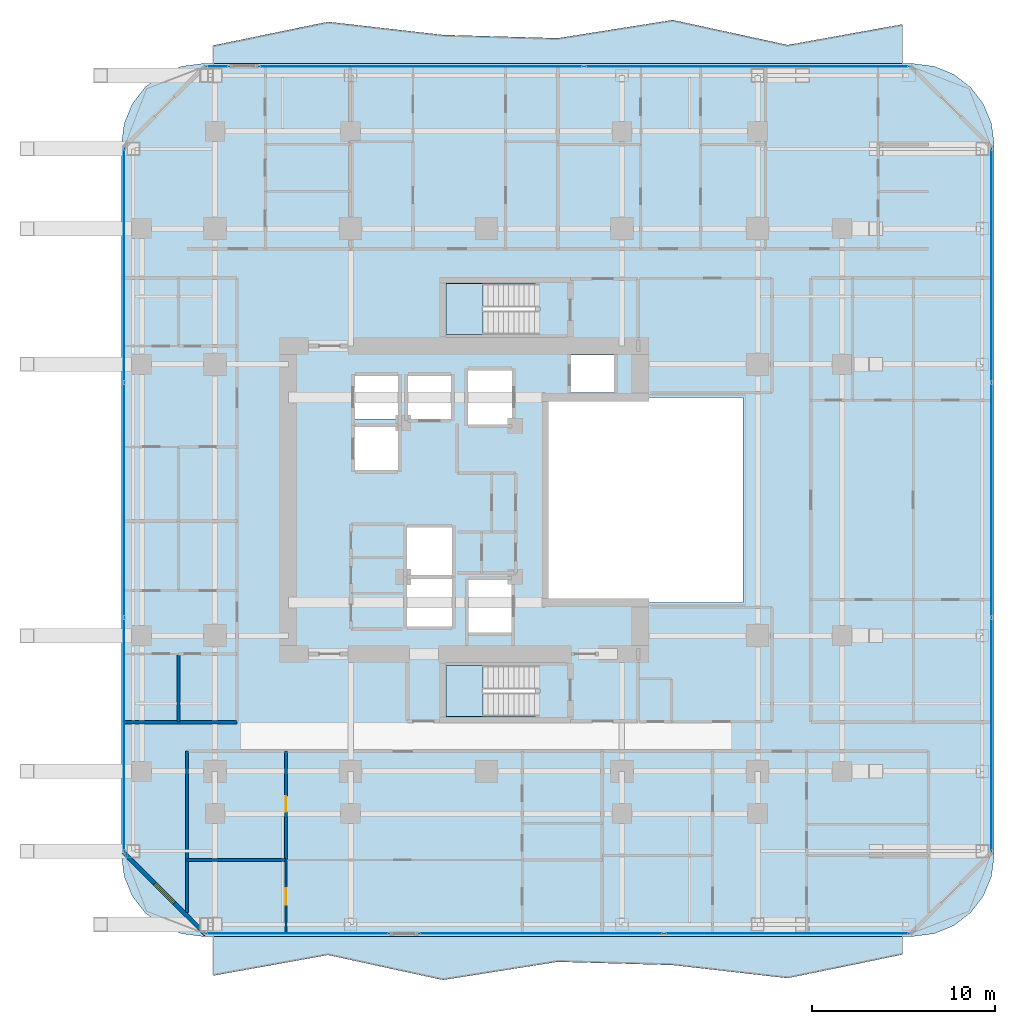
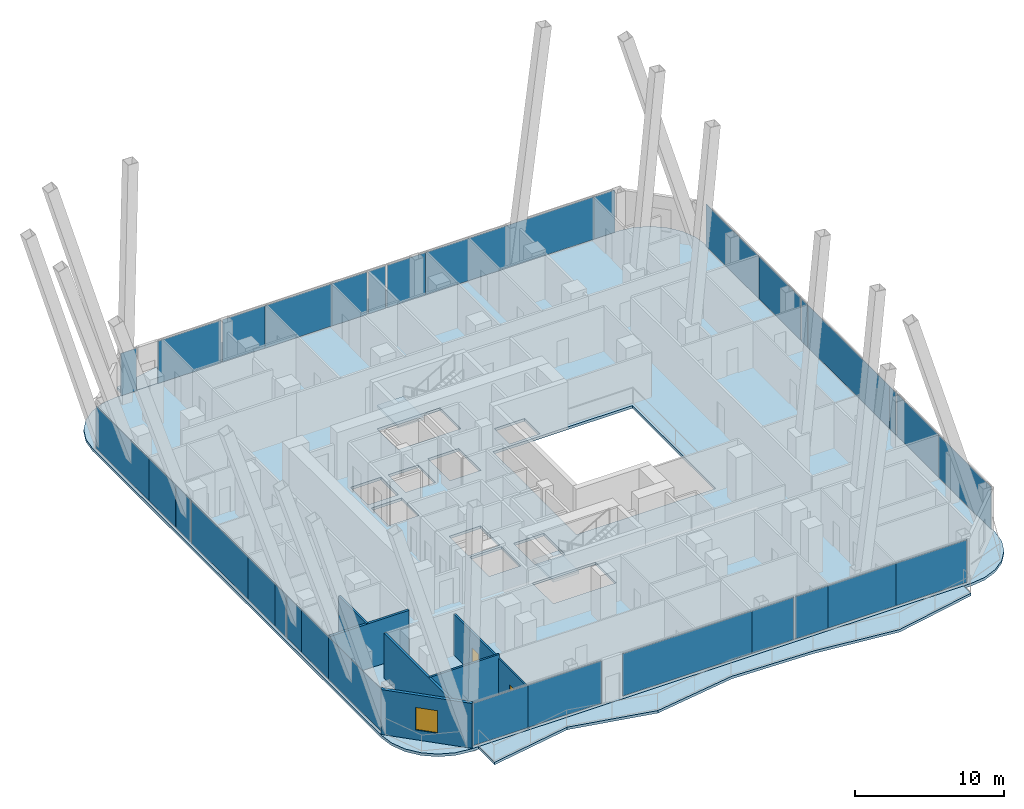
# One storey, part 23 of 32: 32 plates, 7 walls, 5 slabs, 2 doors, 1 window, 3 openings, 8 elements without a shape of their own.
"""IFC4 building model written with IfcOpenShell, lengths in metres."""

import ifcopenshell
import ifcopenshell.guid

model = None  # the IFC model being written
_history = None  # IfcOwnerHistory: only IFC2X3 demands one
_inside = {}  # id of a spatial element -> (the spatial element, [elements in it])
_under = {}  # id of a project, library or spatial element -> (it, [spatial elements below it])
_declared = {}  # id of a project -> (the project, [libraries it declares])
_typed = {}  # id of a type object -> (the type object, [elements of that type])
_made_of = {}  # id of a material, layer set ... -> (it, [elements and type objects made of it])


def new_model(schema):
    """Start an empty IFC model of exactly this schema.

    Asked for "IFC4X3", IfcOpenShell would pick the latest addendum, in which some entities
    have other attributes; the version numbers below select the first issue.
    IFC2X3 requires an IfcOwnerHistory on every rooted entity: one is made here for all.
    """
    global model, _history
    if schema == "IFC4X3":
        model = ifcopenshell.file(schema_version=(4, 3, 0, 0))
    else:
        model = ifcopenshell.file(schema=schema)
    _inside.clear()
    _under.clear()
    _declared.clear()
    _typed.clear()
    _made_of.clear()
    _history = None
    if model.schema == "IFC2X3":
        org = make("IfcOrganization", Name="unknown")
        user = make(
            "IfcPersonAndOrganization",
            ThePerson=make("IfcPerson", FamilyName="unknown"),
            TheOrganization=org,
        )
        app = make(
            "IfcApplication",
            ApplicationDeveloper=org,
            Version="unknown",
            ApplicationFullName="unknown",
            ApplicationIdentifier="unknown",
        )
        _history = make(
            "IfcOwnerHistory",
            OwningUser=user,
            OwningApplication=app,
            ChangeAction="ADDED",
            CreationDate=0,
        )
    return model


def make(cls, **values):
    """One entity of the class cls with the attributes given. An attribute that is None is left unset."""
    return model.create_entity(
        cls, **{name: value for name, value in values.items() if value is not None}
    )


def rooted(cls, **values):
    """An entity with a GlobalId (a new one), such as an element, a storey or a relation."""
    return make(cls, GlobalId=ifcopenshell.guid.new(), OwnerHistory=_history, **values)


def si_unit(unit_type, name, prefix=None):
    """IfcSIUnit, for example si_unit("LENGTHUNIT", "METRE", prefix="MILLI")."""
    return make("IfcSIUnit", UnitType=unit_type, Prefix=prefix, Name=name)


def assignment(units):
    """IfcUnitAssignment: the units of a project."""
    return None if units is None else make("IfcUnitAssignment", Units=units)


def point(xyz):
    """IfcCartesianPoint."""
    return None if xyz is None else make("IfcCartesianPoint", Coordinates=xyz)


def direction(xyz):
    """IfcDirection."""
    return None if xyz is None else make("IfcDirection", DirectionRatios=xyz)


def frame(location, z_axis=None, x_axis=None):
    """IfcAxis2Placement3D, a coordinate frame: its origin and axes. An axis left out is left unset."""
    return make(
        "IfcAxis2Placement3D",
        Location=point(location),
        Axis=direction(z_axis),
        RefDirection=direction(x_axis),
    )


def frame_2d(location, x_axis=None):
    """IfcAxis2Placement2D, a coordinate frame in the plane: its origin and x axis."""
    return make(
        "IfcAxis2Placement2D", Location=point(location), RefDirection=direction(x_axis)
    )


def origin():
    """The frame at (0, 0, 0) with its axes left unset."""
    return frame((0.0, 0.0, 0.0))


def origin_2d():
    """The frame at (0, 0) in the plane with its x axis left unset."""
    return frame_2d((0.0, 0.0))


def place(relative_to, where):
    """IfcLocalPlacement: puts the frame where relative to a parent placement (None: the world)."""
    return make(
        "IfcLocalPlacement", PlacementRelTo=relative_to, RelativePlacement=where
    )


def context(
    kind, dimensions, precision=None, world=None, true_north=None, identifier=None
):
    """IfcGeometricRepresentationContext, for example the 3D "Model" context."""
    return make(
        "IfcGeometricRepresentationContext",
        ContextIdentifier=identifier,
        ContextType=kind,
        CoordinateSpaceDimension=dimensions,
        Precision=precision,
        WorldCoordinateSystem=world,
        TrueNorth=true_north,
    )


def subcontext(parent, identifier, kind, view, scale=None):
    """IfcGeometricRepresentationSubContext, for example "Body" below "Model"."""
    return make(
        "IfcGeometricRepresentationSubContext",
        ContextIdentifier=identifier,
        ContextType=kind,
        ParentContext=parent,
        TargetScale=scale,
        TargetView=view,
    )


def project(units=None, contexts=None):
    """IfcProject with its units and contexts."""
    return rooted(
        "IfcProject",
        Name="project",
        RepresentationContexts=contexts,
        UnitsInContext=assignment(units),
    )


def spatial(cls, under=None, at=None, **own):
    """A site, building, storey or space (cls), placed at a placement, below another one or the project."""
    s = rooted(cls, ObjectPlacement=at, **own)
    if under is not None:
        _under.setdefault(under.id(), (under, []))[1].append(s)
    return s


def polyline(points):
    """IfcPolyline through the points."""
    return make("IfcPolyline", Points=[point(p) for p in points])


def profile(cls, at=None, kind="AREA", **sizes):
    """A parametric profile (cls). Its sizes go by their IFC names, for example OverallWidth=200.0."""
    return make(cls, ProfileType=kind, Position=at, **sizes)


def rectangle(**sizes):
    """IfcRectangleProfileDef."""
    return profile("IfcRectangleProfileDef", **sizes)


def outline(outer, holes=None, kind="AREA"):
    """IfcArbitraryClosedProfileDef: a profile drawn as a closed curve; with holes, ...WithVoids."""
    if holes is None:
        return make("IfcArbitraryClosedProfileDef", ProfileType=kind, OuterCurve=outer)
    return make(
        "IfcArbitraryProfileDefWithVoids",
        ProfileType=kind,
        OuterCurve=outer,
        InnerCurves=holes,
    )


def extrude(swept, where, along, depth):
    """IfcExtrudedAreaSolid: the profile swept, set in the frame where, extruded along a direction by depth."""
    return make(
        "IfcExtrudedAreaSolid",
        SweptArea=swept,
        Position=where,
        ExtrudedDirection=direction(along),
        Depth=depth,
    )


def shape(context_of_items, identifier, shape_type, items):
    """IfcShapeRepresentation: the items that make up one representation, for example the "Body"."""
    return make(
        "IfcShapeRepresentation",
        ContextOfItems=context_of_items,
        RepresentationIdentifier=identifier,
        RepresentationType=shape_type,
        Items=items,
    )


def material(Name=None, Category=None):
    """IfcMaterial."""
    return make("IfcMaterial", Name=Name, Category=Category)


def layer(
    of_material, thickness, ventilated=None, Name=None, Category=None, Priority=None
):
    """IfcMaterialLayer: one layer of a wall or slab, of a material (None: an air gap)."""
    return make(
        "IfcMaterialLayer",
        Material=of_material,
        LayerThickness=thickness,
        IsVentilated=ventilated,
        Name=Name,
        Category=Category,
        Priority=Priority,
    )


def layer_set(layers, Name=None):
    """IfcMaterialLayerSet."""
    return make("IfcMaterialLayerSet", MaterialLayers=layers, LayerSetName=Name)


def made_of(thing, what):
    """Note that an element or type object is made of a material, layer set ...; save() writes the relation."""
    if what is not None:
        _made_of.setdefault(what.id(), (what, []))[1].append(thing)
    return thing


def type_object(cls, material=None, **own):
    """A type object (cls), such as IfcWallType, which elements share."""
    return made_of(rooted(cls, **own), material)


def element(
    cls,
    number,
    at=None,
    inside=None,
    cuts=None,
    type_object=None,
    material=None,
    context=None,
    identifier="Body",
    shape_type=None,
    held_by="IfcProductDefinitionShape",
    body=None,
    shapes=None,
    **own,
):
    """One element of the class cls, such as IfcWall. Its Tag is "e" and its number.

    at: its placement. inside: the storey or other place that contains it. cuts: it is an
    opening in that element (IfcRelVoidsElement). A single representation is given by context,
    identifier, shape_type and body (its items); several are given by shapes. held_by: the class
    of the entity that holds the representations. save() writes the other relations.
    """
    e = rooted(cls, Tag="e%d" % number, ObjectPlacement=at, **own)
    if body is not None:
        shapes = [shape(context, identifier, shape_type, body)]
    if shapes is not None:
        e.Representation = make(held_by, Representations=shapes)
    if inside is not None:
        _inside.setdefault(inside.id(), (inside, []))[1].append(e)
    if cuts is not None:
        rooted(
            "IfcRelVoidsElement", RelatingBuildingElement=cuts, RelatedOpeningElement=e
        )
    if type_object is not None:
        _typed.setdefault(type_object.id(), (type_object, []))[1].append(e)
    return made_of(e, material)


def fill(opening, filler):
    """IfcRelFillsElement: the door or window that sits in an opening."""
    return rooted(
        "IfcRelFillsElement",
        RelatingOpeningElement=opening,
        RelatedBuildingElement=filler,
    )


def aggregate(whole, parts):
    """IfcRelAggregates: a whole, such as a stair, and the parts it consists of."""
    return rooted("IfcRelAggregates", RelatingObject=whole, RelatedObjects=parts)


def save(model, path):
    """Write the relations noted so far, then the file.

    IfcRelAggregates (storeys below a building ...), IfcRelContainedInSpatialStructure (elements
    in a storey), IfcRelDefinesByType, IfcRelAssociatesMaterial and IfcRelDeclares: one each for
    every whole, place, type object, material and project.
    """
    for whole, parts in _under.values():
        aggregate(whole, parts)
    for where, things in _inside.values():
        rooted(
            "IfcRelContainedInSpatialStructure",
            RelatedElements=things,
            RelatingStructure=where,
        )
    for kind, things in _typed.values():
        rooted("IfcRelDefinesByType", RelatedObjects=things, RelatingType=kind)
    for what, things in _made_of.values():
        rooted("IfcRelAssociatesMaterial", RelatedObjects=things, RelatingMaterial=what)
    for by, libraries in _declared.values():
        rooted("IfcRelDeclares", RelatingContext=by, RelatedDefinitions=libraries)
    model.write(path)


model = new_model("IFC4")

# Units and contexts
model_context = context("Model", 3, precision=1e-05, world=origin(), true_north=direction((0.0, 1.0)))
body_context = subcontext(model_context, "Body", "Model", "MODEL_VIEW")
ifc_project = project(units=[si_unit("LENGTHUNIT", "METRE"), si_unit("AREAUNIT", "SQUARE_METRE"), si_unit("VOLUMEUNIT", "CUBIC_METRE"), si_unit("PLANEANGLEUNIT", "RADIAN"), si_unit("MASSUNIT", "GRAM", prefix="KILO")], contexts=[model_context])

# Site, building, storey
site_placement = place(None, origin())
site = spatial("IfcSite", under=ifc_project, at=site_placement, CompositionType="ELEMENT")
building_placement = place(site_placement, origin())
building = spatial("IfcBuilding", under=site, at=building_placement, Name="Khorvyn Point Tower", CompositionType="ELEMENT")
storey_placement = place(building_placement, frame((0.0, 0.0, 148.5)))
storey = spatial("IfcBuildingStorey", under=building, at=storey_placement, Name="L37", CompositionType="ELEMENT", Elevation=148.5)

# Slabs
ifc_material_1 = material(Name="Concrete C35/45", Category="concrete")
ifc_layer_1 = layer(ifc_material_1, 0.219970703125)
ifc_layer_set_1 = layer_set([ifc_layer_1], Name="Concrete C35/45 Structural Floor Slab 220")
slab_type_1 = type_object("IfcSlabType", Name="Concrete C35/45 Structural Floor Slab 220", PredefinedType="FLOOR", material=ifc_layer_set_1)
slab_1_placement = place(storey_placement, frame((0.0, 0.0, -0.219970703125)))
element("IfcSlab", 1, at=slab_1_placement, inside=storey, type_object=slab_type_1, Name="L37 Main Structural Floor Slab", PredefinedType="FLOOR", context=body_context, shape_type="SweptSolid", body=[
    extrude(outline(polyline([(-15.5, -23.800048828125), (-16.638916015625, -23.650146484375), (-17.699951171875, -23.21044921875), (-18.611328125, -22.51123046875), (-19.310546875, -21.60009765625), (-19.75, -20.538818359375), (-19.89990234375, -19.39990234375), (-19.89990234375, 19.39990234375), (-19.75, 20.538818359375), (-19.310546875, 21.60009765625), (-18.611328125, 22.51123046875), (-17.699951171875, 23.21044921875), (-16.638916015625, 23.650146484375), (-15.5, 23.800048828125), (23.300048828125, 23.800048828125), (24.438720703125, 23.650146484375), (25.5, 23.21044921875), (26.411376953125, 22.51123046875), (27.110595703125, 21.60009765625), (27.550048828125, 20.538818359375), (27.699951171875, 19.39990234375), (27.699951171875, -19.39990234375), (27.550048828125, -20.538818359375), (27.110595703125, -21.60009765625), (26.411376953125, -22.51123046875), (25.5, -23.21044921875), (24.438720703125, -23.650146484375), (23.300048828125, -23.800048828125), (-15.5, -23.800048828125)]), holes=[polyline([(-1.875, -6.89990234375), (-1.875, -4.300048828125), (-4.324951171875, -4.300048828125), (-4.324951171875, -6.89990234375), (-1.875, -6.89990234375)]), polyline([(-1.875, -4.10009765625), (-1.875, -1.5), (-4.324951171875, -1.5), (-4.324951171875, -4.10009765625), (-1.875, -4.10009765625)]), polyline([(-4.824951171875, 1.625), (-4.824951171875, 3.97509765625), (-7.175048828125, 3.97509765625), (-7.175048828125, 1.625), (-4.824951171875, 1.625)]), polyline([(-7.175048828125, 4.425048828125), (-4.824951171875, 4.425048828125), (-4.824951171875, 6.77490234375), (-7.175048828125, 6.77490234375), (-7.175048828125, 4.425048828125)]), polyline([(-4.27490234375, 4.425048828125), (-1.925048828125, 4.425048828125), (-1.925048828125, 6.77490234375), (-4.27490234375, 6.77490234375), (-4.27490234375, 4.425048828125)]), polyline([(1.39990234375, 4.125), (1.39990234375, 7.074951171875), (-1.0, 7.074951171875), (-1.0, 4.125), (1.39990234375, 4.125)]), polyline([(-2.199951171875, -11.820068359375), (2.679931640625, -11.820068359375), (2.679931640625, -9.02001953125), (-2.199951171875, -9.02001953125), (-2.199951171875, -11.820068359375)]), polyline([(-0.97509765625, -7.22509765625), (1.375, -7.22509765625), (1.375, -4.375), (-0.97509765625, -4.375), (-0.97509765625, -7.22509765625)]), polyline([(14.0, -5.60009765625), (14.0, 5.60009765625), (3.199951171875, 5.60009765625), (3.199951171875, -5.60009765625), (14.0, -5.60009765625)]), polyline([(4.625, 5.85009765625), (6.97509765625, 5.85009765625), (6.97509765625, 7.905029296875), (4.625, 7.905029296875), (4.625, 5.85009765625)]), polyline([(-2.199951171875, 9.02001953125), (2.679931640625, 9.02001953125), (2.679931640625, 11.820068359375), (-2.199951171875, 11.820068359375), (-2.199951171875, 9.02001953125)])]), origin(), (0.0, 0.0, 1.0), 0.219970703125),
])
ifc_material_2 = material(Name="Concrete C40/50", Category="concrete")
ifc_layer_2 = layer(ifc_material_2, 0.2099609375)
ifc_layer_set_2 = layer_set([ifc_layer_2], Name="Concrete C40/50 Rippling Balcony Slab 210")
slab_type_2 = type_object("IfcSlabType", Name="Concrete C40/50 Rippling Balcony Slab 210", PredefinedType="USERDEFINED", material=ifc_layer_set_2)
slab_2_placement = place(storey_placement, frame((0.0, 0.0, -0.2099609375)))
element("IfcSlab", 2, at=slab_2_placement, inside=storey, type_object=slab_type_2, Name="L37 North Sinusoidal Rippling Balcony", ObjectType="BALCONY", PredefinedType="USERDEFINED", context=body_context, shape_type="SweptSolid", body=[
    extrude(outline(polyline([(22.699951171875, 23.800048828125), (22.699951171875, 25.943603515625), (16.433349609375, 24.817138671875), (10.166748046875, 26.1796875), (3.89990234375, 25.1884765625), (-2.36669921875, 25.36669921875), (-8.63330078125, 26.080810546875), (-14.89990234375, 24.79248046875), (-14.89990234375, 23.800048828125), (22.699951171875, 23.800048828125)])), origin(), (0.0, 0.0, 1.0), 0.2099609375),
])
slab_3_placement = place(storey_placement, frame((0.0, 0.0, -0.2099609375)))
element("IfcSlab", 3, at=slab_3_placement, inside=storey, type_object=slab_type_2, Name="L37 South Sinusoidal Rippling Balcony", ObjectType="BALCONY", PredefinedType="USERDEFINED", context=body_context, shape_type="SweptSolid", body=[
    extrude(outline(polyline([(-14.89990234375, -23.800048828125), (-14.89990234375, -25.943603515625), (-8.63330078125, -24.817138671875), (-2.36669921875, -26.1796875), (3.89990234375, -25.1884765625), (10.166748046875, -25.36669921875), (16.433349609375, -26.080810546875), (22.699951171875, -24.79248046875), (22.699951171875, -23.800048828125), (-14.89990234375, -23.800048828125)])), origin(), (0.0, 0.0, 1.0), 0.2099609375),
])

# Stair, slab
stair_type = type_object("IfcStairType", Name="Tower Concrete C40/50 Dogleg Exit Stair", PredefinedType="HALF_TURN_STAIR", material=ifc_material_2)
stair_1_placement = place(storey_placement, origin())
stair_1 = element("IfcStair", 4, at=stair_1_placement, inside=storey, type_object=stair_type, Name="L37 Tower Smokeproof Exit Stair South", PredefinedType="HALF_TURN_STAIR")
ifc_layer_3 = layer(ifc_material_2, 0.199951171875)
ifc_layer_set_3 = layer_set([ifc_layer_3], Name="Concrete C40/50 Stair Landing Slab 200")
slab_type_3 = type_object("IfcSlabType", Name="Concrete C40/50 Stair Landing Slab 200", PredefinedType="LANDING", material=ifc_layer_set_3)
slab_4_placement = place(storey_placement, frame((0.0, 0.0, 1.75)))
slab_4 = element("IfcSlab", 5, at=slab_4_placement, type_object=slab_type_3, Name="ST-01 landing 1", PredefinedType="LANDING", context=body_context, shape_type="SweptSolid", body=[
    extrude(outline(polyline([(-0.179931640625, -9.02001953125), (-2.199951171875, -9.02001953125), (-2.199951171875, -11.820068359375), (-0.179931640625, -11.820068359375), (-0.179931640625, -9.02001953125)])), origin(), (0.0, 0.0, 1.0), 0.199951171875),
])
aggregate(stair_1, [slab_4])

stair_2_placement = place(storey_placement, origin())
stair_2 = element("IfcStair", 6, at=stair_2_placement, inside=storey, type_object=stair_type, Name="L37 Tower Smokeproof Exit Stair North", PredefinedType="HALF_TURN_STAIR")
slab_5_placement = place(storey_placement, frame((0.0, 0.0, 1.75)))
slab_5 = element("IfcSlab", 7, at=slab_5_placement, type_object=slab_type_3, Name="ST-02 landing 1", PredefinedType="LANDING", context=body_context, shape_type="SweptSolid", body=[
    extrude(outline(polyline([(-0.179931640625, 11.820068359375), (-2.199951171875, 11.820068359375), (-2.199951171875, 9.02001953125), (-0.179931640625, 9.02001953125), (-0.179931640625, 11.820068359375)])), origin(), (0.0, 0.0, 1.0), 0.199951171875),
])
aggregate(stair_2, [slab_5])

# Curtain wall, plates
ifc_material_3 = material(Name="Anodised aluminium 6063-T6 and laminated Low-E glass", Category="aluminium")
ifc_layer_4 = layer(ifc_material_3, 0.18994140625)
ifc_layer_set_4 = layer_set([ifc_layer_4], Name="Stick-Built Acoustic Curtain Wall CW-SYS-03")
curtain_wall_type = type_object("IfcCurtainWallType", Name="Stick-Built Acoustic Curtain Wall CW-SYS-03", PredefinedType="NOTDEFINED", material=ifc_layer_set_4)
curtain_wall_1_placement = place(storey_placement, origin())
curtain_wall_1 = element("IfcCurtainWall", 8, at=curtain_wall_1_placement, inside=storey, type_object=curtain_wall_type, Name="Curtain Wall", PredefinedType="NOTDEFINED")
ifc_material_4 = material(Name="Laminated Low-E insulated glass", Category="glass")
ifc_layer_5 = layer(ifc_material_4, 0.028076171875)
ifc_layer_set_5 = layer_set([ifc_layer_5], Name="Tempered Low-E Vision Glazing Panel CW-GL28")
plate_type = type_object("IfcPlateType", Name="Tempered Low-E Vision Glazing Panel CW-GL28", PredefinedType="CURTAIN_PANEL", material=ifc_layer_set_5)
plate_1_placement = place(storey_placement, frame((11.01220703125, -23.64990234375, 0.10009765625), z_axis=(0.0, 0.0, 1.0), x_axis=(-1.0, 0.0, 0.0)))
plate_1 = element("IfcPlate", 9, at=plate_1_placement, type_object=plate_type, Name="Panel", PredefinedType="CURTAIN_PANEL", context=body_context, shape_type="SweptSolid", body=[
    extrude(rectangle(XDim=2.527587890625, YDim=0.028076171875, at=origin_2d()), origin(), (0.0, 0.0, 1.0), 3.47998046875),
])
plate_2_placement = place(storey_placement, frame((14.907958984375, -23.64990234375, 0.10009765625), z_axis=(0.0, 0.0, 1.0), x_axis=(-1.0, 0.0, 0.0)))
plate_2 = element("IfcPlate", 10, at=plate_2_placement, type_object=plate_type, Name="Panel", PredefinedType="CURTAIN_PANEL", context=body_context, shape_type="SweptSolid", body=[
    extrude(rectangle(XDim=5.248046875, YDim=0.028076171875, at=origin_2d()), origin(), (0.0, 0.0, 1.0), 3.47998046875),
])
plate_3_placement = place(storey_placement, frame((20.29296875, -23.64990234375, 0.10009765625), z_axis=(0.0, 0.0, 1.0), x_axis=(-1.0, 0.0, 0.0)))
plate_3 = element("IfcPlate", 11, at=plate_3_placement, type_object=plate_type, Name="Panel", PredefinedType="CURTAIN_PANEL", context=body_context, shape_type="SweptSolid", body=[
    extrude(rectangle(XDim=5.506103515625, YDim=0.028076171875, at=origin_2d()), origin(), (0.0, 0.0, 1.0), 3.47998046875),
])
plate_4_placement = place(storey_placement, frame((1.362548828125, -23.64990234375, 0.10009765625), z_axis=(0.0, 0.0, 1.0), x_axis=(-1.0, 0.0, 0.0)))
plate_4 = element("IfcPlate", 12, at=plate_4_placement, type_object=plate_type, Name="Panel", PredefinedType="CURTAIN_PANEL", context=body_context, shape_type="SweptSolid", body=[
    extrude(rectangle(XDim=10.0390625, YDim=0.028076171875, at=origin_2d()), origin(), (0.0, 0.0, 1.0), 3.47998046875),
])
plate_5_placement = place(storey_placement, frame((8.01513671875, -23.64990234375, 0.10009765625), z_axis=(0.0, 0.0, 1.0), x_axis=(-1.0, 0.0, 0.0)))
plate_5 = element("IfcPlate", 13, at=plate_5_placement, type_object=plate_type, Name="Panel", PredefinedType="CURTAIN_PANEL", context=body_context, shape_type="SweptSolid", body=[
    extrude(rectangle(XDim=3.25048828125, YDim=0.028076171875, at=origin_2d()), origin(), (0.0, 0.0, 1.0), 3.47998046875),
])
aggregate(curtain_wall_1, [plate_1, plate_2, plate_3, plate_4, plate_5])

curtain_wall_2_placement = place(storey_placement, origin())
curtain_wall_2 = element("IfcCurtainWall", 14, at=curtain_wall_2_placement, inside=storey, type_object=curtain_wall_type, Name="Curtain Wall", PredefinedType="NOTDEFINED")
plate_6_placement = place(storey_placement, frame((-13.117919921875, -23.64990234375, 0.10009765625), z_axis=(0.0, 0.0, 1.0), x_axis=(-1.0, 0.0, 0.0)))
plate_6 = element("IfcPlate", 15, at=plate_6_placement, type_object=plate_type, Name="Panel", PredefinedType="CURTAIN_PANEL", context=body_context, shape_type="SweptSolid", body=[
    extrude(rectangle(XDim=4.256103515625, YDim=0.028076171875, at=origin_2d()), origin(), (0.0, 0.0, 1.0), 3.47998046875),
])
plate_7_placement = place(storey_placement, frame((-8.1435546875, -23.64990234375, 0.10009765625), z_axis=(0.0, 0.0, 1.0), x_axis=(-1.0, 0.0, 0.0)))
plate_7 = element("IfcPlate", 16, at=plate_7_placement, type_object=plate_type, Name="Panel", PredefinedType="CURTAIN_PANEL", context=body_context, shape_type="SweptSolid", body=[
    extrude(rectangle(XDim=5.677001953125, YDim=0.028076171875, at=origin_2d()), origin(), (0.0, 0.0, 1.0), 3.47998046875),
])
aggregate(curtain_wall_2, [plate_6, plate_7])

# Curtain wall, plate
curtain_wall_3_placement = place(storey_placement, origin())
curtain_wall_3 = element("IfcCurtainWall", 17, at=curtain_wall_3_placement, inside=storey, type_object=curtain_wall_type, Name="Curtain Wall", PredefinedType="NOTDEFINED")
plate_8_placement = place(storey_placement, frame((-14.639404296875, 23.64990234375, 0.10009765625), z_axis=(0.0, 0.0, 1.0), x_axis=(1.0, 0.0, 0.0)))
plate_8 = element("IfcPlate", 18, at=plate_8_placement, type_object=plate_type, Name="Panel", PredefinedType="CURTAIN_PANEL", context=body_context, shape_type="SweptSolid", body=[
    extrude(rectangle(XDim=1.220947265625, YDim=0.028076171875, at=origin_2d()), origin(), (0.0, 0.0, 1.0), 3.47998046875),
])
aggregate(curtain_wall_3, [plate_8])

# Curtain wall, plates
curtain_wall_4_placement = place(storey_placement, origin())
curtain_wall_4 = element("IfcCurtainWall", 19, at=curtain_wall_4_placement, inside=storey, type_object=curtain_wall_type, Name="Curtain Wall", PredefinedType="NOTDEFINED")
plate_9_placement = place(storey_placement, frame((-9.93603515625, 23.64990234375, 0.10009765625), z_axis=(0.0, 0.0, 1.0), x_axis=(1.0, 0.0, 0.0)))
plate_9 = element("IfcPlate", 20, at=plate_9_placement, type_object=plate_type, Name="Panel", PredefinedType="CURTAIN_PANEL", context=body_context, shape_type="SweptSolid", body=[
    extrude(rectangle(XDim=4.89794921875, YDim=0.028076171875, at=origin_2d()), origin(), (0.0, 0.0, 1.0), 3.47998046875),
])
plate_10_placement = place(storey_placement, frame((-5.7119140625, 23.64990234375, 0.10009765625), z_axis=(0.0, 0.0, 1.0), x_axis=(1.0, 0.0, 0.0)))
plate_10 = element("IfcPlate", 21, at=plate_10_placement, type_object=plate_type, Name="Panel", PredefinedType="CURTAIN_PANEL", context=body_context, shape_type="SweptSolid", body=[
    extrude(rectangle(XDim=3.2939453125, YDim=0.028076171875, at=origin_2d()), origin(), (0.0, 0.0, 1.0), 3.47998046875),
])
plate_11_placement = place(storey_placement, frame((-1.4755859375, 23.64990234375, 0.10009765625), z_axis=(0.0, 0.0, 1.0), x_axis=(1.0, 0.0, 0.0)))
plate_11 = element("IfcPlate", 22, at=plate_11_placement, type_object=plate_type, Name="Panel", PredefinedType="CURTAIN_PANEL", context=body_context, shape_type="SweptSolid", body=[
    extrude(rectangle(XDim=5.1630859375, YDim=0.028076171875, at=origin_2d()), origin(), (0.0, 0.0, 1.0), 3.47998046875),
])
plate_12_placement = place(storey_placement, frame((2.47509765625, 23.64990234375, 0.10009765625), z_axis=(0.0, 0.0, 1.0), x_axis=(1.0, 0.0, 0.0)))
plate_12 = element("IfcPlate", 23, at=plate_12_placement, type_object=plate_type, Name="Panel", PredefinedType="CURTAIN_PANEL", context=body_context, shape_type="SweptSolid", body=[
    extrude(rectangle(XDim=2.721923828125, YDim=0.028076171875, at=origin_2d()), origin(), (0.0, 0.0, 1.0), 3.47998046875),
])
plate_13_placement = place(storey_placement, frame((4.6201171875, 23.64990234375, 0.10009765625), z_axis=(0.0, 0.0, 1.0), x_axis=(1.0, 0.0, 0.0)))
plate_13 = element("IfcPlate", 24, at=plate_13_placement, type_object=plate_type, Name="Panel", PredefinedType="CURTAIN_PANEL", context=body_context, shape_type="SweptSolid", body=[
    extrude(rectangle(XDim=1.3125, YDim=0.028076171875, at=origin_2d()), origin(), (0.0, 0.0, 1.0), 3.47998046875),
])
plate_14_placement = place(storey_placement, frame((6.874755859375, 23.64990234375, 0.10009765625), z_axis=(0.0, 0.0, 1.0), x_axis=(1.0, 0.0, 0.0)))
plate_14 = element("IfcPlate", 25, at=plate_14_placement, type_object=plate_type, Name="Panel", PredefinedType="CURTAIN_PANEL", context=body_context, shape_type="SweptSolid", body=[
    extrude(rectangle(XDim=2.98046875, YDim=0.028076171875, at=origin_2d()), origin(), (0.0, 0.0, 1.0), 3.47998046875),
])
plate_15_placement = place(storey_placement, frame((14.8994140625, 23.64990234375, 0.10009765625), z_axis=(0.0, 0.0, 1.0), x_axis=(1.0, 0.0, 0.0)))
plate_15 = element("IfcPlate", 26, at=plate_15_placement, type_object=plate_type, Name="Panel", PredefinedType="CURTAIN_PANEL", context=body_context, shape_type="SweptSolid", body=[
    extrude(rectangle(XDim=13.052978515625, YDim=0.028076171875, at=origin_2d()), origin(), (0.0, 0.0, 1.0), 3.47998046875),
])
plate_16_placement = place(storey_placement, frame((22.239990234375, 23.64990234375, 0.10009765625), z_axis=(0.0, 0.0, 1.0), x_axis=(1.0, 0.0, 0.0)))
plate_16 = element("IfcPlate", 27, at=plate_16_placement, type_object=plate_type, Name="Panel", PredefinedType="CURTAIN_PANEL", context=body_context, shape_type="SweptSolid", body=[
    extrude(rectangle(XDim=1.612060546875, YDim=0.028076171875, at=origin_2d()), origin(), (0.0, 0.0, 1.0), 3.47998046875),
])
aggregate(curtain_wall_4, [plate_9, plate_10, plate_11, plate_12, plate_13, plate_14, plate_15, plate_16])

curtain_wall_5_placement = place(storey_placement, origin())
curtain_wall_5 = element("IfcCurtainWall", 28, at=curtain_wall_5_placement, inside=storey, type_object=curtain_wall_type, Name="Curtain Wall", PredefinedType="NOTDEFINED")
plate_17_placement = place(storey_placement, frame((-19.75, -15.60498046875, 0.10009765625), z_axis=(0.0, 0.0, 1.0), x_axis=(0.0, 1.0, 0.0)))
plate_17 = element("IfcPlate", 29, at=plate_17_placement, type_object=plate_type, Name="Panel", PredefinedType="CURTAIN_PANEL", context=body_context, shape_type="SweptSolid", body=[
    extrude(rectangle(XDim=7.08203125, YDim=0.028076171875, at=origin_2d()), origin(), (0.0, 0.0, 1.0), 3.47998046875),
])
plate_18_placement = place(storey_placement, frame((-19.75, -10.257080078125, 0.10009765625), z_axis=(0.0, 0.0, 1.0), x_axis=(0.0, 1.0, 0.0)))
plate_18 = element("IfcPlate", 30, at=plate_18_placement, type_object=plate_type, Name="Panel", PredefinedType="CURTAIN_PANEL", context=body_context, shape_type="SweptSolid", body=[
    extrude(rectangle(XDim=3.597900390625, YDim=0.028076171875, at=origin_2d()), origin(), (0.0, 0.0, 1.0), 3.47998046875),
])
plate_19_placement = place(storey_placement, frame((-19.75, -7.460205078125, 0.10009765625), z_axis=(0.0, 0.0, 1.0), x_axis=(0.0, 1.0, 0.0)))
plate_19 = element("IfcPlate", 31, at=plate_19_placement, type_object=plate_type, Name="Panel", PredefinedType="CURTAIN_PANEL", context=body_context, shape_type="SweptSolid", body=[
    extrude(rectangle(XDim=1.979248046875, YDim=0.028076171875, at=origin_2d()), origin(), (0.0, 0.0, 1.0), 3.47998046875),
])
plate_20_placement = place(storey_placement, frame((-19.75, -5.622802734375, 0.10009765625), z_axis=(0.0, 0.0, 1.0), x_axis=(0.0, 1.0, 0.0)))
plate_20 = element("IfcPlate", 32, at=plate_20_placement, type_object=plate_type, Name="Panel", PredefinedType="CURTAIN_PANEL", context=body_context, shape_type="SweptSolid", body=[
    extrude(rectangle(XDim=1.479736328125, YDim=0.028076171875, at=origin_2d()), origin(), (0.0, 0.0, 1.0), 3.47998046875),
])
plate_21_placement = place(storey_placement, frame((-19.75, -3.051513671875, 0.10009765625), z_axis=(0.0, 0.0, 1.0), x_axis=(0.0, 1.0, 0.0)))
plate_21 = element("IfcPlate", 33, at=plate_21_placement, type_object=plate_type, Name="Panel", PredefinedType="CURTAIN_PANEL", context=body_context, shape_type="SweptSolid", body=[
    extrude(rectangle(XDim=3.64697265625, YDim=0.028076171875, at=origin_2d()), origin(), (0.0, 0.0, 1.0), 3.47998046875),
])
plate_22_placement = place(storey_placement, frame((-19.75, 2.5712890625, 0.10009765625), z_axis=(0.0, 0.0, 1.0), x_axis=(0.0, 1.0, 0.0)))
plate_22 = element("IfcPlate", 34, at=plate_22_placement, type_object=plate_type, Name="Panel", PredefinedType="CURTAIN_PANEL", context=body_context, shape_type="SweptSolid", body=[
    extrude(rectangle(XDim=7.582763671875, YDim=0.028076171875, at=origin_2d()), origin(), (0.0, 0.0, 1.0), 3.47998046875),
])
plate_23_placement = place(storey_placement, frame((-19.75, 7.460205078125, 0.10009765625), z_axis=(0.0, 0.0, 1.0), x_axis=(0.0, 1.0, 0.0)))
plate_23 = element("IfcPlate", 35, at=plate_23_placement, type_object=plate_type, Name="Panel", PredefinedType="CURTAIN_PANEL", context=body_context, shape_type="SweptSolid", body=[
    extrude(rectangle(XDim=1.979248046875, YDim=0.028076171875, at=origin_2d()), origin(), (0.0, 0.0, 1.0), 3.47998046875),
])
plate_24_placement = place(storey_placement, frame((-19.75, 10.257080078125, 0.10009765625), z_axis=(0.0, 0.0, 1.0), x_axis=(0.0, 1.0, 0.0)))
plate_24 = element("IfcPlate", 36, at=plate_24_placement, type_object=plate_type, Name="Panel", PredefinedType="CURTAIN_PANEL", context=body_context, shape_type="SweptSolid", body=[
    extrude(rectangle(XDim=3.597900390625, YDim=0.028076171875, at=origin_2d()), origin(), (0.0, 0.0, 1.0), 3.47998046875),
])
plate_25_placement = place(storey_placement, frame((-19.75, 15.60498046875, 0.10009765625), z_axis=(0.0, 0.0, 1.0), x_axis=(0.0, 1.0, 0.0)))
plate_25 = element("IfcPlate", 37, at=plate_25_placement, type_object=plate_type, Name="Panel", PredefinedType="CURTAIN_PANEL", context=body_context, shape_type="SweptSolid", body=[
    extrude(rectangle(XDim=7.08203125, YDim=0.028076171875, at=origin_2d()), origin(), (0.0, 0.0, 1.0), 3.47998046875),
])
aggregate(curtain_wall_5, [plate_17, plate_18, plate_19, plate_20, plate_21, plate_22, plate_23, plate_24, plate_25])

curtain_wall_6_placement = place(storey_placement, origin())
curtain_wall_6 = element("IfcCurtainWall", 38, at=curtain_wall_6_placement, inside=storey, type_object=curtain_wall_type, Name="Curtain Wall", PredefinedType="NOTDEFINED")
plate_26_placement = place(storey_placement, frame((27.550048828125, 9.26318359375, 0.10009765625), z_axis=(0.0, 0.0, 1.0), x_axis=(0.0, -1.0, 0.0)))
plate_26 = element("IfcPlate", 39, at=plate_26_placement, type_object=plate_type, Name="Panel", PredefinedType="CURTAIN_PANEL", context=body_context, shape_type="SweptSolid", body=[
    extrude(rectangle(XDim=5.585205078125, YDim=0.028076171875, at=origin_2d()), origin(), (0.0, 0.0, 1.0), 3.47998046875),
])
plate_27_placement = place(storey_placement, frame((27.550048828125, 15.60498046875, 0.10009765625), z_axis=(0.0, 0.0, 1.0), x_axis=(0.0, -1.0, 0.0)))
plate_27 = element("IfcPlate", 40, at=plate_27_placement, type_object=plate_type, Name="Panel", PredefinedType="CURTAIN_PANEL", context=body_context, shape_type="SweptSolid", body=[
    extrude(rectangle(XDim=7.08203125, YDim=0.028076171875, at=origin_2d()), origin(), (0.0, 0.0, 1.0), 3.47998046875),
])
plate_28_placement = place(storey_placement, frame((27.550048828125, -5.931396484375, 0.10009765625), z_axis=(0.0, 0.0, 1.0), x_axis=(0.0, -1.0, 0.0)))
plate_28 = element("IfcPlate", 41, at=plate_28_placement, type_object=plate_type, Name="Panel", PredefinedType="CURTAIN_PANEL", context=body_context, shape_type="SweptSolid", body=[
    extrude(rectangle(XDim=0.86279296875, YDim=0.028076171875, at=origin_2d()), origin(), (0.0, 0.0, 1.0), 3.47998046875),
])
plate_29_placement = place(storey_placement, frame((27.550048828125, 0.0, 0.10009765625), z_axis=(0.0, 0.0, 1.0), x_axis=(0.0, -1.0, 0.0)))
plate_29 = element("IfcPlate", 42, at=plate_29_placement, type_object=plate_type, Name="Panel", PredefinedType="CURTAIN_PANEL", context=body_context, shape_type="SweptSolid", body=[
    extrude(rectangle(XDim=10.98388671875, YDim=0.028076171875, at=origin_2d()), origin(), (0.0, 0.0, 1.0), 3.47998046875),
])
plate_30_placement = place(storey_placement, frame((27.550048828125, 5.931396484375, 0.10009765625), z_axis=(0.0, 0.0, 1.0), x_axis=(0.0, -1.0, 0.0)))
plate_30 = element("IfcPlate", 43, at=plate_30_placement, type_object=plate_type, Name="Panel", PredefinedType="CURTAIN_PANEL", context=body_context, shape_type="SweptSolid", body=[
    extrude(rectangle(XDim=0.86279296875, YDim=0.028076171875, at=origin_2d()), origin(), (0.0, 0.0, 1.0), 3.47998046875),
])
plate_31_placement = place(storey_placement, frame((27.550048828125, -15.60498046875, 0.10009765625), z_axis=(0.0, 0.0, 1.0), x_axis=(0.0, -1.0, 0.0)))
plate_31 = element("IfcPlate", 44, at=plate_31_placement, type_object=plate_type, Name="Panel", PredefinedType="CURTAIN_PANEL", context=body_context, shape_type="SweptSolid", body=[
    extrude(rectangle(XDim=7.08203125, YDim=0.028076171875, at=origin_2d()), origin(), (0.0, 0.0, 1.0), 3.47998046875),
])
plate_32_placement = place(storey_placement, frame((27.550048828125, -9.26318359375, 0.10009765625), z_axis=(0.0, 0.0, 1.0), x_axis=(0.0, -1.0, 0.0)))
plate_32 = element("IfcPlate", 45, at=plate_32_placement, type_object=plate_type, Name="Panel", PredefinedType="CURTAIN_PANEL", context=body_context, shape_type="SweptSolid", body=[
    extrude(rectangle(XDim=5.585205078125, YDim=0.028076171875, at=origin_2d()), origin(), (0.0, 0.0, 1.0), 3.47998046875),
])
aggregate(curtain_wall_6, [plate_26, plate_27, plate_28, plate_29, plate_30, plate_31, plate_32])

# Walls
ifc_material_5 = material(Name="Double acoustic gypsum on twin steel stud", Category="steel")
ifc_layer_6 = layer(ifc_material_5, 0.179931640625)
ifc_layer_set_6 = layer_set([ifc_layer_6], Name="Acoustic Double-Stud Apartment Demising Wall 180")
wall_type_1 = type_object("IfcWallType", Name="Acoustic Double-Stud Apartment Demising Wall 180", PredefinedType="PARTITIONING", material=ifc_layer_set_6)
wall_1_placement = place(storey_placement, frame((-16.320068359375, -22.510009765625, 0.0), z_axis=(0.0, 0.0, 1.0), x_axis=(0.0, 1.0, 0.0)))
element("IfcWall", 46, at=wall_1_placement, inside=storey, type_object=wall_type_1, Name="Wall", PredefinedType="PARTITIONING", context=body_context, shape_type="SweptSolid", body=[
    extrude(rectangle(XDim=8.81005859375, YDim=0.179931640625, at=frame_2d((4.405029296875, 0.0))), origin(), (0.0, 0.0, 1.0), 3.679931640625),
])
wall_2_placement = place(storey_placement, frame((-19.72998046875, -12.1201171875, 0.0), z_axis=(0.0, 0.0, 1.0), x_axis=(1.0, 0.0, 0.0)))
element("IfcWall", 47, at=wall_2_placement, inside=storey, type_object=wall_type_1, Name="Wall", PredefinedType="PARTITIONING", context=body_context, shape_type="SweptSolid", body=[
    extrude(rectangle(XDim=6.1298828125, YDim=0.179931640625, at=frame_2d((3.06494140625, 0.0))), origin(), (0.0, 0.0, 1.0), 3.679931640625),
])

# Wall, opening, window
ifc_material_6 = material(Name="Pale anodised aluminium rainscreen on steel stud", Category="steel")
ifc_layer_7 = layer(ifc_material_6, 0.239990234375)
ifc_layer_set_7 = layer_set([ifc_layer_7], Name="Anodised Aluminium Insulated Corner Spandrel Wall 240")
wall_type_2 = type_object("IfcWallType", Name="Anodised Aluminium Insulated Corner Spandrel Wall 240", PredefinedType="SOLIDWALL", material=ifc_layer_set_7)
wall_3_placement = place(storey_placement, frame((-15.3076171875, -23.6923828125, 0.0), z_axis=(0.0, 0.0, 1.0), x_axis=(-0.707106781187, 0.707106781187, 0.0)))
wall_3 = element("IfcWall", 48, at=wall_3_placement, inside=storey, type_object=wall_type_2, Name="L37 Rounded Corner Wall SW", PredefinedType="SOLIDWALL", context=body_context, shape_type="SweptSolid", body=[
    extrude(rectangle(XDim=6.342529296875, YDim=0.239990234375, at=frame_2d((3.17138671875, 0.0))), origin(), (0.0, 0.0, 1.0), 3.679931640625),
])
opening_1_placement = place(wall_3_placement, frame((2.42138671875, 0.0, 0.800048828125)))
opening_1 = element("IfcOpeningElement", 49, at=opening_1_placement, cuts=wall_3, Name="Opening WN-1518", PredefinedType="OPENING", context=body_context, shape_type="SweptSolid", body=[
    extrude(rectangle(XDim=1.5, YDim=1.85009765625, at=frame_2d((0.75, 0.925048828125))), frame((0.0, 0.1298828125, 0.0), z_axis=(0.0, -1.0, 0.0), x_axis=(1.0, 0.0, 0.0)), (0.0, 0.0, 1.0), 0.260009765625),
])
window_type = type_object("IfcWindowType", Name="Anodised Aluminium Rounded-Corner Panoramic Window 1500x1850", PartitioningType="SINGLE_PANEL", PredefinedType="WINDOW", material=ifc_material_3)
window_placement = place(opening_1_placement, origin())
window = element("IfcWindow", 50, at=window_placement, inside=storey, type_object=window_type, Name="L37 Corner Panoramic Window SW", OverallHeight=1.85009765625, OverallWidth=1.5, PartitioningType="SINGLE_PANEL", PredefinedType="WINDOW", context=body_context, shape_type="SweptSolid", body=[
    extrude(rectangle(XDim=1.5, YDim=1.85009765625, at=frame_2d((0.75, 0.925048828125))), frame((0.0, 0.030029296875, 0.0), z_axis=(0.0, -1.0, 0.0), x_axis=(1.0, 0.0, 0.0)), (0.0, 0.0, 1.0), 0.06005859375),
])
fill(opening_1, window)

# Wall, opening, door
ifc_material_7 = material(Name="Gypsum plasterboard on steel stud", Category="steel")
ifc_layer_8 = layer(ifc_material_7, 0.1201171875)
ifc_layer_set_8 = layer_set([ifc_layer_8], Name="Gypsum Acoustic Stud Room Partition Wall 120")
wall_type_3 = type_object("IfcWallType", Name="Gypsum Acoustic Stud Room Partition Wall 120", PredefinedType="PARTITIONING", material=ifc_layer_set_8)
wall_4_placement = place(storey_placement, frame((-10.926025390625, -23.6298828125, 0.0), z_axis=(0.0, 0.0, 1.0), x_axis=(0.0, 1.0, 0.0)))
wall_4 = element("IfcWall", 51, at=wall_4_placement, inside=storey, type_object=wall_type_3, Name="Wall", PredefinedType="PARTITIONING", context=body_context, shape_type="SweptSolid", body=[
    extrude(rectangle(XDim=3.995849609375, YDim=0.1201171875, at=frame_2d((1.998046875, 0.0))), origin(), (0.0, 0.0, 1.0), 3.3701171875),
])
opening_2_placement = place(wall_4_placement, frame((1.548095703125, 0.0, 0.0)))
opening_2 = element("IfcOpeningElement", 52, at=opening_2_placement, cuts=wall_4, Name="Opening ID-RM90", PredefinedType="OPENING", context=body_context, shape_type="SweptSolid", body=[
    extrude(rectangle(XDim=0.89990234375, YDim=2.10009765625, at=frame_2d((0.449951171875, 1.050048828125))), frame((0.0, 0.070068359375, 0.0), z_axis=(0.0, -1.0, 0.0), x_axis=(1.0, 0.0, 0.0)), (0.0, 0.0, 1.0), 0.14013671875),
])
ifc_material_8 = material(Name="Engineered oak veneer timber", Category="wood")
door_type_1 = type_object("IfcDoorType", Name="Flush Engineered Timber Room Door 900x2100", OperationType="NOTDEFINED", PredefinedType="DOOR", material=ifc_material_8)
door_1_placement = place(opening_2_placement, origin())
door_1 = element("IfcDoor", 53, at=door_1_placement, inside=storey, type_object=door_type_1, Name="Door", OperationType="SINGLE_SWING_RIGHT", OverallHeight=2.10009765625, OverallWidth=0.89990234375, PredefinedType="DOOR", context=body_context, shape_type="SweptSolid", body=[
    extrude(rectangle(XDim=0.89990234375, YDim=2.10009765625, at=frame_2d((0.449951171875, 1.050048828125))), frame((0.0, 0.02490234375, 0.0), z_axis=(0.0, -1.0, 0.0), x_axis=(1.0, 0.0, 0.0)), (0.0, 0.0, 1.0), 0.050048828125),
])
fill(opening_2, door_1)

ifc_material_9 = material(Name="Moisture-resistant gypsum and cement board", Category="gypsum")
ifc_layer_9 = layer(ifc_material_9, 0.14990234375)
ifc_layer_set_9 = layer_set([ifc_layer_9], Name="Moisture-Resistant Wet-Room Partition Wall 150")
wall_type_4 = type_object("IfcWallType", Name="Moisture-Resistant Wet-Room Partition Wall 150", PredefinedType="PARTITIONING", material=ifc_layer_set_9)
wall_5_placement = place(storey_placement, frame((-10.926025390625, -19.634033203125, 0.0), z_axis=(0.0, 0.0, 1.0), x_axis=(0.0, 1.0, 0.0)))
wall_5 = element("IfcWall", 54, at=wall_5_placement, inside=storey, type_object=wall_type_4, Name="Wall", PredefinedType="PARTITIONING", context=body_context, shape_type="SweptSolid", body=[
    extrude(rectangle(XDim=5.93408203125, YDim=0.14990234375, at=frame_2d((2.967041015625, 0.0))), origin(), (0.0, 0.0, 1.0), 3.3701171875),
])
opening_3_placement = place(wall_5_placement, frame((2.630126953125, 0.0, 0.0)))
opening_3 = element("IfcOpeningElement", 55, at=opening_3_placement, cuts=wall_5, Name="Opening ID-WC85", PredefinedType="OPENING", context=body_context, shape_type="SweptSolid", body=[
    extrude(rectangle(XDim=0.85009765625, YDim=2.10009765625, at=frame_2d((0.425048828125, 1.050048828125))), frame((0.0, 0.0849609375, 0.0), z_axis=(0.0, -1.0, 0.0), x_axis=(1.0, 0.0, 0.0)), (0.0, 0.0, 1.0), 0.169921875),
])
ifc_material_10 = material(Name="High-pressure laminate on moisture-resistant core", Category="wood")
door_type_2 = type_object("IfcDoorType", Name="Moisture-Resistant Accessible Washroom Door 850x2100", OperationType="NOTDEFINED", PredefinedType="DOOR", material=ifc_material_10)
door_2_placement = place(opening_3_placement, origin())
door_2 = element("IfcDoor", 56, at=door_2_placement, inside=storey, type_object=door_type_2, Name="Door", OperationType="SINGLE_SWING_LEFT", OverallHeight=2.10009765625, OverallWidth=0.85009765625, PredefinedType="DOOR", context=body_context, shape_type="SweptSolid", body=[
    extrude(rectangle(XDim=0.85009765625, YDim=2.10009765625, at=frame_2d((0.425048828125, 1.050048828125))), frame((0.0, 0.02490234375, 0.0), z_axis=(0.0, -1.0, 0.0), x_axis=(1.0, 0.0, 0.0)), (0.0, 0.0, 1.0), 0.050048828125),
])
fill(opening_3, door_2)

# Walls
wall_6_placement = place(storey_placement, frame((-16.320068359375, -19.634033203125, 0.0), z_axis=(0.0, 0.0, 1.0), x_axis=(1.0, 0.0, 0.0)))
element("IfcWall", 57, at=wall_6_placement, inside=storey, type_object=wall_type_4, Name="Wall", PredefinedType="PARTITIONING", context=body_context, shape_type="SweptSolid", body=[
    extrude(rectangle(XDim=5.39404296875, YDim=0.14990234375, at=frame_2d((2.697021484375, 0.0))), origin(), (0.0, 0.0, 1.0), 3.679931640625),
])
wall_7_placement = place(storey_placement, frame((-16.783935546875, -12.1201171875, 0.0), z_axis=(0.0, 0.0, 1.0), x_axis=(0.0, 1.0, 0.0)))
element("IfcWall", 58, at=wall_7_placement, inside=storey, type_object=wall_type_4, Name="Wall", PredefinedType="PARTITIONING", context=body_context, shape_type="SweptSolid", body=[
    extrude(rectangle(XDim=3.72607421875, YDim=0.14990234375, at=frame_2d((1.863037109375, 0.0))), origin(), (0.0, 0.0, 1.0), 3.679931640625),
])

save(model, "model.ifc")
